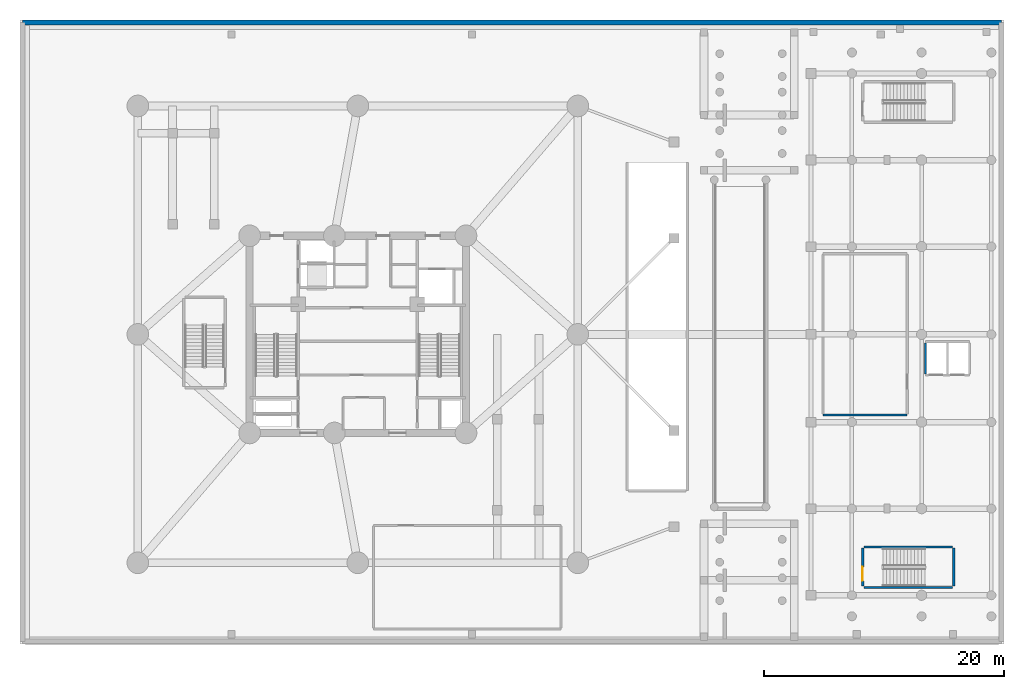
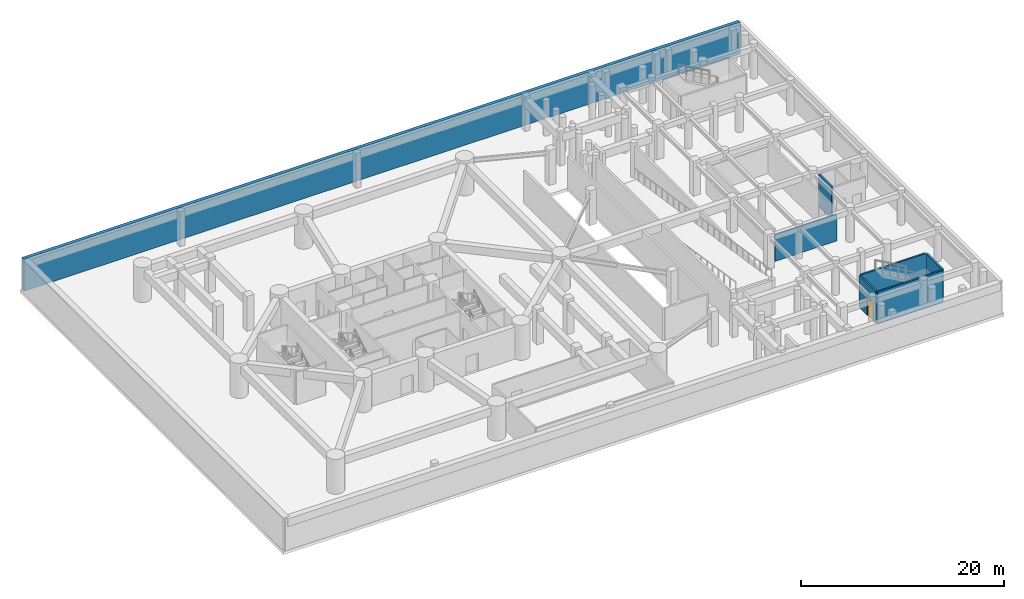
# One storey, part 6 of 11: 7 walls, 1 door, 1 opening.
"""IFC4 building model written with IfcOpenShell, lengths in metres."""

import ifcopenshell
import ifcopenshell.guid

model = None  # the IFC model being written
_history = None  # IfcOwnerHistory: only IFC2X3 demands one
_inside = {}  # id of a spatial element -> (the spatial element, [elements in it])
_under = {}  # id of a project, library or spatial element -> (it, [spatial elements below it])
_declared = {}  # id of a project -> (the project, [libraries it declares])
_typed = {}  # id of a type object -> (the type object, [elements of that type])
_made_of = {}  # id of a material, layer set ... -> (it, [elements and type objects made of it])


def new_model(schema):
    """Start an empty IFC model of exactly this schema.

    Asked for "IFC4X3", IfcOpenShell would pick the latest addendum, in which some entities
    have other attributes; the version numbers below select the first issue.
    IFC2X3 requires an IfcOwnerHistory on every rooted entity: one is made here for all.
    """
    global model, _history
    if schema == "IFC4X3":
        model = ifcopenshell.file(schema_version=(4, 3, 0, 0))
    else:
        model = ifcopenshell.file(schema=schema)
    _inside.clear()
    _under.clear()
    _declared.clear()
    _typed.clear()
    _made_of.clear()
    _history = None
    if model.schema == "IFC2X3":
        org = make("IfcOrganization", Name="unknown")
        user = make(
            "IfcPersonAndOrganization",
            ThePerson=make("IfcPerson", FamilyName="unknown"),
            TheOrganization=org,
        )
        app = make(
            "IfcApplication",
            ApplicationDeveloper=org,
            Version="unknown",
            ApplicationFullName="unknown",
            ApplicationIdentifier="unknown",
        )
        _history = make(
            "IfcOwnerHistory",
            OwningUser=user,
            OwningApplication=app,
            ChangeAction="ADDED",
            CreationDate=0,
        )
    return model


def make(cls, **values):
    """One entity of the class cls with the attributes given. An attribute that is None is left unset."""
    return model.create_entity(
        cls, **{name: value for name, value in values.items() if value is not None}
    )


def rooted(cls, **values):
    """An entity with a GlobalId (a new one), such as an element, a storey or a relation."""
    return make(cls, GlobalId=ifcopenshell.guid.new(), OwnerHistory=_history, **values)


def si_unit(unit_type, name, prefix=None):
    """IfcSIUnit, for example si_unit("LENGTHUNIT", "METRE", prefix="MILLI")."""
    return make("IfcSIUnit", UnitType=unit_type, Prefix=prefix, Name=name)


def assignment(units):
    """IfcUnitAssignment: the units of a project."""
    return None if units is None else make("IfcUnitAssignment", Units=units)


def point(xyz):
    """IfcCartesianPoint."""
    return None if xyz is None else make("IfcCartesianPoint", Coordinates=xyz)


def direction(xyz):
    """IfcDirection."""
    return None if xyz is None else make("IfcDirection", DirectionRatios=xyz)


def frame(location, z_axis=None, x_axis=None):
    """IfcAxis2Placement3D, a coordinate frame: its origin and axes. An axis left out is left unset."""
    return make(
        "IfcAxis2Placement3D",
        Location=point(location),
        Axis=direction(z_axis),
        RefDirection=direction(x_axis),
    )


def frame_2d(location, x_axis=None):
    """IfcAxis2Placement2D, a coordinate frame in the plane: its origin and x axis."""
    return make(
        "IfcAxis2Placement2D", Location=point(location), RefDirection=direction(x_axis)
    )


def origin():
    """The frame at (0, 0, 0) with its axes left unset."""
    return frame((0.0, 0.0, 0.0))


def origin_with_axes():
    """The frame at (0, 0, 0) with the z axis (0, 0, 1) and the x axis (1, 0, 0) written out."""
    return frame((0.0, 0.0, 0.0), z_axis=(0.0, 0.0, 1.0), x_axis=(1.0, 0.0, 0.0))


def place(relative_to, where):
    """IfcLocalPlacement: puts the frame where relative to a parent placement (None: the world)."""
    return make(
        "IfcLocalPlacement", PlacementRelTo=relative_to, RelativePlacement=where
    )


def context(
    kind, dimensions, precision=None, world=None, true_north=None, identifier=None
):
    """IfcGeometricRepresentationContext, for example the 3D "Model" context."""
    return make(
        "IfcGeometricRepresentationContext",
        ContextIdentifier=identifier,
        ContextType=kind,
        CoordinateSpaceDimension=dimensions,
        Precision=precision,
        WorldCoordinateSystem=world,
        TrueNorth=true_north,
    )


def subcontext(parent, identifier, kind, view, scale=None):
    """IfcGeometricRepresentationSubContext, for example "Body" below "Model"."""
    return make(
        "IfcGeometricRepresentationSubContext",
        ContextIdentifier=identifier,
        ContextType=kind,
        ParentContext=parent,
        TargetScale=scale,
        TargetView=view,
    )


def project(units=None, contexts=None):
    """IfcProject with its units and contexts."""
    return rooted(
        "IfcProject",
        Name="project",
        RepresentationContexts=contexts,
        UnitsInContext=assignment(units),
    )


def spatial(cls, under=None, at=None, **own):
    """A site, building, storey or space (cls), placed at a placement, below another one or the project."""
    s = rooted(cls, ObjectPlacement=at, **own)
    if under is not None:
        _under.setdefault(under.id(), (under, []))[1].append(s)
    return s


def profile(cls, at=None, kind="AREA", **sizes):
    """A parametric profile (cls). Its sizes go by their IFC names, for example OverallWidth=200.0."""
    return make(cls, ProfileType=kind, Position=at, **sizes)


def rectangle(**sizes):
    """IfcRectangleProfileDef."""
    return profile("IfcRectangleProfileDef", **sizes)


def extrude(swept, where, along, depth):
    """IfcExtrudedAreaSolid: the profile swept, set in the frame where, extruded along a direction by depth."""
    return make(
        "IfcExtrudedAreaSolid",
        SweptArea=swept,
        Position=where,
        ExtrudedDirection=direction(along),
        Depth=depth,
    )


def shape(context_of_items, identifier, shape_type, items):
    """IfcShapeRepresentation: the items that make up one representation, for example the "Body"."""
    return make(
        "IfcShapeRepresentation",
        ContextOfItems=context_of_items,
        RepresentationIdentifier=identifier,
        RepresentationType=shape_type,
        Items=items,
    )


def source(mapping_origin, context_of_items, identifier, shape_type, items):
    """IfcRepresentationMap: a shape defined once, which mapped items show again and again."""
    return make(
        "IfcRepresentationMap",
        MappingOrigin=mapping_origin,
        MappedRepresentation=shape(context_of_items, identifier, shape_type, items),
    )


def transform(
    local_origin,
    x_axis=None,
    y_axis=None,
    z_axis=None,
    scale=None,
    scale2=None,
    scale3=None,
    uniform=True,
):
    """IfcCartesianTransformationOperator3D, or its non-uniform kind. x_axis, y_axis, z_axis: its Axis1, 2, 3."""
    if uniform:
        return make(
            "IfcCartesianTransformationOperator3D",
            Axis1=direction(x_axis),
            Axis2=direction(y_axis),
            LocalOrigin=point(local_origin),
            Scale=scale,
            Axis3=direction(z_axis),
        )
    return make(
        "IfcCartesianTransformationOperator3DnonUniform",
        Axis1=direction(x_axis),
        Axis2=direction(y_axis),
        LocalOrigin=point(local_origin),
        Scale=scale,
        Axis3=direction(z_axis),
        Scale2=scale2,
        Scale3=scale3,
    )


def mapped(mapping_source, mapping_target):
    """IfcMappedItem: shows the shape of a source again, moved by a transform."""
    return make(
        "IfcMappedItem", MappingSource=mapping_source, MappingTarget=mapping_target
    )


def material(Name=None, Category=None):
    """IfcMaterial."""
    return make("IfcMaterial", Name=Name, Category=Category)


def layer(
    of_material, thickness, ventilated=None, Name=None, Category=None, Priority=None
):
    """IfcMaterialLayer: one layer of a wall or slab, of a material (None: an air gap)."""
    return make(
        "IfcMaterialLayer",
        Material=of_material,
        LayerThickness=thickness,
        IsVentilated=ventilated,
        Name=Name,
        Category=Category,
        Priority=Priority,
    )


def layer_set(layers, Name=None):
    """IfcMaterialLayerSet."""
    return make("IfcMaterialLayerSet", MaterialLayers=layers, LayerSetName=Name)


def made_of(thing, what):
    """Note that an element or type object is made of a material, layer set ...; save() writes the relation."""
    if what is not None:
        _made_of.setdefault(what.id(), (what, []))[1].append(thing)
    return thing


def type_object(cls, material=None, **own):
    """A type object (cls), such as IfcWallType, which elements share."""
    return made_of(rooted(cls, **own), material)


def element(
    cls,
    number,
    at=None,
    inside=None,
    cuts=None,
    type_object=None,
    material=None,
    context=None,
    identifier="Body",
    shape_type=None,
    held_by="IfcProductDefinitionShape",
    body=None,
    shapes=None,
    **own,
):
    """One element of the class cls, such as IfcWall. Its Tag is "e" and its number.

    at: its placement. inside: the storey or other place that contains it. cuts: it is an
    opening in that element (IfcRelVoidsElement). A single representation is given by context,
    identifier, shape_type and body (its items); several are given by shapes. held_by: the class
    of the entity that holds the representations. save() writes the other relations.
    """
    e = rooted(cls, Tag="e%d" % number, ObjectPlacement=at, **own)
    if body is not None:
        shapes = [shape(context, identifier, shape_type, body)]
    if shapes is not None:
        e.Representation = make(held_by, Representations=shapes)
    if inside is not None:
        _inside.setdefault(inside.id(), (inside, []))[1].append(e)
    if cuts is not None:
        rooted(
            "IfcRelVoidsElement", RelatingBuildingElement=cuts, RelatedOpeningElement=e
        )
    if type_object is not None:
        _typed.setdefault(type_object.id(), (type_object, []))[1].append(e)
    return made_of(e, material)


def fill(opening, filler):
    """IfcRelFillsElement: the door or window that sits in an opening."""
    return rooted(
        "IfcRelFillsElement",
        RelatingOpeningElement=opening,
        RelatedBuildingElement=filler,
    )


def aggregate(whole, parts):
    """IfcRelAggregates: a whole, such as a stair, and the parts it consists of."""
    return rooted("IfcRelAggregates", RelatingObject=whole, RelatedObjects=parts)


def save(model, path):
    """Write the relations noted so far, then the file.

    IfcRelAggregates (storeys below a building ...), IfcRelContainedInSpatialStructure (elements
    in a storey), IfcRelDefinesByType, IfcRelAssociatesMaterial and IfcRelDeclares: one each for
    every whole, place, type object, material and project.
    """
    for whole, parts in _under.values():
        aggregate(whole, parts)
    for where, things in _inside.values():
        rooted(
            "IfcRelContainedInSpatialStructure",
            RelatedElements=things,
            RelatingStructure=where,
        )
    for kind, things in _typed.values():
        rooted("IfcRelDefinesByType", RelatedObjects=things, RelatingType=kind)
    for what, things in _made_of.values():
        rooted("IfcRelAssociatesMaterial", RelatedObjects=things, RelatingMaterial=what)
    for by, libraries in _declared.values():
        rooted("IfcRelDeclares", RelatingContext=by, RelatedDefinitions=libraries)
    model.write(path)


model = new_model("IFC4")

# Units and contexts
model_context = context("Model", 3, precision=1e-05, world=origin(), true_north=direction((0.0, 1.0)))
body_context = subcontext(model_context, "Body", "Model", "MODEL_VIEW")
ifc_project = project(units=[si_unit("LENGTHUNIT", "METRE"), si_unit("AREAUNIT", "SQUARE_METRE"), si_unit("VOLUMEUNIT", "CUBIC_METRE"), si_unit("PLANEANGLEUNIT", "RADIAN"), si_unit("MASSUNIT", "GRAM", prefix="KILO")], contexts=[model_context])

# Site, building, storey
site_placement = place(None, origin())
site = spatial("IfcSite", under=ifc_project, at=site_placement, CompositionType="ELEMENT")
building_placement = place(site_placement, origin())
building = spatial("IfcBuilding", under=site, at=building_placement, Name="Karkom Vertical University and Central Library", CompositionType="ELEMENT")
storey_placement = place(building_placement, frame((0.0, 0.0, -4.199951171875)))
storey = spatial("IfcBuildingStorey", under=building, at=storey_placement, Name="B01", CompositionType="ELEMENT", Elevation=-4.199951171875)

# Walls
ifc_material_1 = material(Name="Twin-stud acoustic drywall 180mm", Category="gypsum")
ifc_layer_1 = layer(ifc_material_1, 0.179931640625)
ifc_layer_set_1 = layer_set([ifc_layer_1], Name="Twin-stud acoustic drywall 180mm")
wall_type_1 = type_object("IfcWallType", Name="INT-WL-TEN-180F", PredefinedType="PARTITIONING", material=ifc_layer_set_1)
wall_1_placement = place(storey_placement, frame((67.199951171875, 19.800048828125, 0.0), z_axis=(0.0, 0.0, 1.0), x_axis=(1.0, 0.0, 0.0)))
element("IfcWall", 1, at=wall_1_placement, inside=storey, type_object=wall_type_1, Name="Basement 01 Interior Partition Wall B01-PW-ARCL-S", PredefinedType="PARTITIONING", context=body_context, shape_type="SweptSolid", body=[
    extrude(rectangle(XDim=7.0, YDim=0.179931640625, at=frame_2d((3.5, 0.0))), origin(), (0.0, 0.0, 1.0), 3.199951171875),
])
ifc_material_2 = material(Name="Concrete C50/60", Category="concrete")
ifc_layer_2 = layer(ifc_material_2, 0.39990234375)
ifc_layer_set_2 = layer_set([ifc_layer_2], Name="Concrete C50/60")
wall_type_2 = type_object("IfcWallType", Name="STR-WL-RW-400", PredefinedType="USERDEFINED", material=ifc_layer_set_2)
wall_2_placement = place(storey_placement, frame((82.030029296875, 52.429931640625, 0.0), z_axis=(0.0, 0.0, 1.0), x_axis=(-1.0, 0.0, 0.0)))
element("IfcWall", 2, at=wall_2_placement, inside=storey, type_object=wall_type_2, Name="Basement 01 Perimeter Retaining Wall 3", ObjectType="RETAINING WALL", PredefinedType="USERDEFINED", context=body_context, shape_type="SweptSolid", body=[
    extrude(rectangle(XDim=81.409912109375, YDim=0.39990234375, at=frame_2d((40.705078125, 0.0))), origin(), (0.0, 0.0, 1.0), 3.849853515625),
])
ifc_material_3 = material(Name="Concrete C45/55", Category="concrete")
ifc_layer_3 = layer(ifc_material_3, 0.199951171875)
ifc_layer_set_3 = layer_set([ifc_layer_3], Name="Concrete C45/55")
wall_type_3 = type_object("IfcWallType", Name="STR-WL-ST-200", PredefinedType="SHEAR", material=ifc_layer_set_3)
for number, where, z_axis, x_axis, name in (
    (3, (70.60009765625, 5.445068359375, 0.0), (0.0, 0.0, 1.0), (1.0, 0.0, 0.0), "Basement 01 Core Shaft Wall B01-W-LST1-S"),
    (4, (70.60009765625, 8.81494140625, 0.0), (0.0, 0.0, 1.0), (1.0, 0.0, 0.0), "Basement 01 Core Shaft Wall B01-W-LST1-N"),
):
    element("IfcWall", number, at=place(storey_placement, frame(where, z_axis=z_axis, x_axis=x_axis)), inside=storey, type_object=wall_type_3, Name=name, PredefinedType="SHEAR", context=body_context, shape_type="SweptSolid", body=[
        extrude(rectangle(XDim=7.349853515625, YDim=0.199951171875, at=frame_2d((3.6748046875, 0.0))), origin(), (0.0, 0.0, 1.0), 3.849853515625),
    ])

# Wall, opening, door
wall_3_placement = place(storey_placement, frame((70.4951171875, 5.550048828125, 0.0), z_axis=(0.0, 0.0, 1.0), x_axis=(0.0, 1.0, 0.0)))
wall_3 = element("IfcWall", 5, at=wall_3_placement, inside=storey, type_object=wall_type_3, Name="Basement 01 Core Shaft Wall B01-W-LST1-W", PredefinedType="SHEAR", context=body_context, shape_type="SweptSolid", body=[
    extrude(rectangle(XDim=3.159912109375, YDim=0.199951171875, at=frame_2d((1.580078125, 0.0))), origin(), (0.0, 0.0, 1.0), 3.849853515625),
])
opening_placement = place(wall_3_placement, frame((0.449951171875, 0.0, 0.0)))
opening = element("IfcOpeningElement", 6, at=opening_placement, cuts=wall_3, Name="Opening FD-ST1", PredefinedType="OPENING", context=body_context, shape_type="SweptSolid", body=[
    extrude(rectangle(XDim=1.14990234375, YDim=2.14990234375, at=frame_2d((0.574951171875, 1.074951171875))), frame((0.0, 0.10986328125, 0.0), z_axis=(0.0, -1.0, 0.0), x_axis=(1.0, 0.0, 0.0)), (0.0, 0.0, 1.0), 0.219970703125),
])
ifc_material_4 = material(Name="Painted steel acoustic fire door", Category="steel")
door_type = type_object("IfcDoorType", Name="INT-DR-ST1", OperationType="NOTDEFINED", PredefinedType="DOOR", material=ifc_material_4)
shared_shape = source(origin_with_axes(), body_context, "Body", "SweptSolid", [
    extrude(rectangle(XDim=1.14990234375, YDim=2.14990234375, at=frame_2d((0.574951171875, 1.074951171875))), frame((0.0, 0.02490234375, 0.0), z_axis=(0.0, -1.0, 0.0), x_axis=(1.0, 0.0, 0.0)), (0.0, 0.0, 1.0), 0.050048828125),
])
door_placement = place(opening_placement, origin())
door = element("IfcDoor", 7, at=door_placement, inside=storey, type_object=door_type, Name="Basement 01 Library Stair LST1 Door", OperationType="SINGLE_SWING_RIGHT", OverallHeight=2.14990234375, OverallWidth=1.14990234375, PredefinedType="DOOR", context=body_context, shape_type="MappedRepresentation", body=[
    mapped(shared_shape, transform((0.0, 0.0, 0.0), scale=1.0)),
])
fill(opening, door)

# Walls
wall_4_placement = place(storey_placement, frame((78.054931640625, 5.550048828125, 0.0), z_axis=(0.0, 0.0, 1.0), x_axis=(0.0, 1.0, 0.0)))
element("IfcWall", 8, at=wall_4_placement, inside=storey, type_object=wall_type_3, Name="Basement 01 Core Shaft Wall B01-W-LST1-E", PredefinedType="SHEAR", context=body_context, shape_type="SweptSolid", body=[
    extrude(rectangle(XDim=3.159912109375, YDim=0.199951171875, at=frame_2d((1.580078125, 0.0))), origin(), (0.0, 0.0, 1.0), 3.849853515625),
])
wall_5_placement = place(storey_placement, frame((75.719970703125, 23.219970703125, 0.0), z_axis=(0.0, 0.0, 1.0), x_axis=(0.0, 1.0, 0.0)))
element("IfcWall", 9, at=wall_5_placement, inside=storey, type_object=wall_type_3, Name="Basement 01 Core Shaft Wall B01-W-LL-W", PredefinedType="SHEAR", context=body_context, shape_type="SweptSolid", body=[
    extrude(rectangle(XDim=2.56005859375, YDim=0.199951171875, at=frame_2d((1.280029296875, 0.0))), origin(), (0.0, 0.0, 1.0), 3.849853515625),
])

save(model, "model.ifc")
